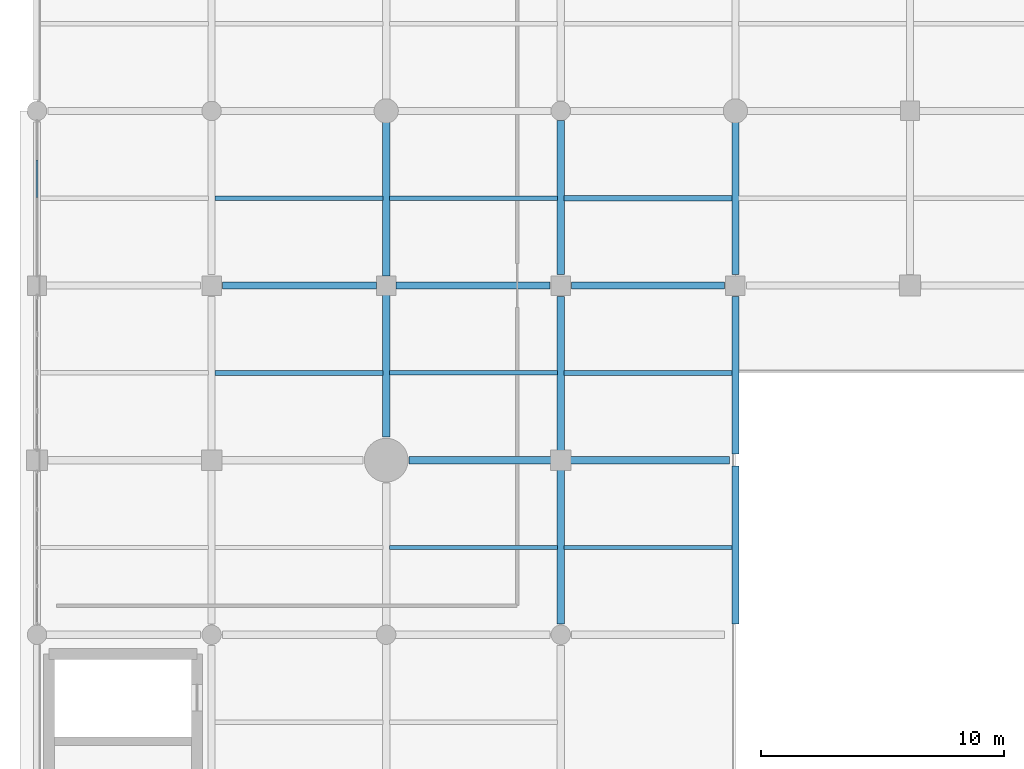
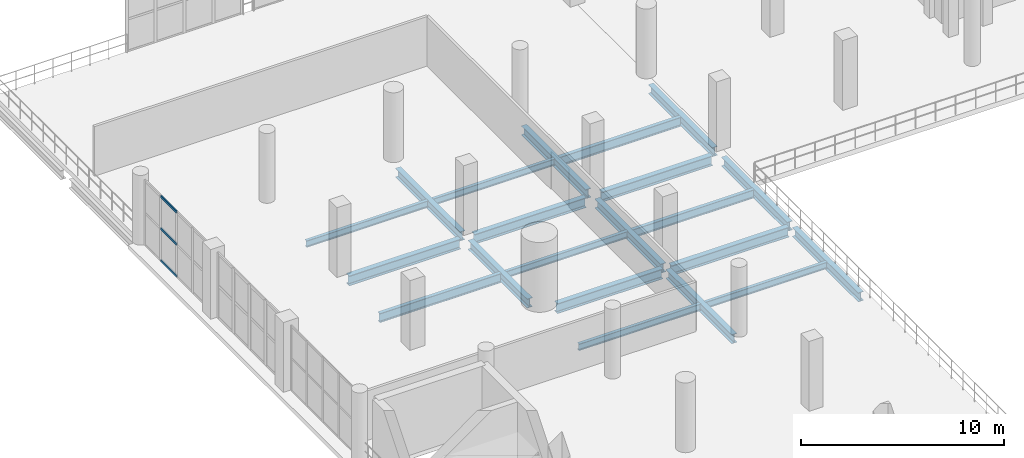
# One storey, part 50 of 153: 21 beams, 3 members, 1 element without a shape of its own.
"""IFC4 building model written with IfcOpenShell, lengths in metres."""

from ifc_helpers import new_model, si_unit, direction, frame, origin, origin_2d, place, context, subcontext, project, spatial, hollow_rectangle, i_section, extrude, material, material_profile, profile_set, type_object, element, aggregate, save


model = new_model("IFC4")

# Units and contexts
model_context = context("Model", 3, precision=1e-05, world=origin(), true_north=direction((0.0, 1.0)))
body_context = subcontext(model_context, "Body", "Model", "MODEL_VIEW")
ifc_project = project(units=[si_unit("LENGTHUNIT", "METRE"), si_unit("AREAUNIT", "SQUARE_METRE"), si_unit("VOLUMEUNIT", "CUBIC_METRE"), si_unit("PLANEANGLEUNIT", "RADIAN"), si_unit("MASSUNIT", "GRAM", prefix="KILO")], contexts=[model_context])

# Site, building, storey
site_placement = place(None, origin())
site = spatial("IfcSite", under=ifc_project, at=site_placement, CompositionType="ELEMENT")
building_placement = place(site_placement, origin())
building = spatial("IfcBuilding", under=site, at=building_placement, Name="Qandorah Velis Arena", CompositionType="ELEMENT")
storey_placement = place(building_placement, frame((0.0, 0.0, 5.39990234375)))
storey = spatial("IfcBuildingStorey", under=building, at=storey_placement, Name="L01", CompositionType="ELEMENT", Elevation=5.39990234375)

# Curtain wall, members
ifc_material_1 = material(Name="Solar-control low-E double glazing", Category="glass")
curtain_wall_type = type_object("IfcCurtainWallType", Name="ARC-CW-SYS10", PredefinedType="USERDEFINED", material=ifc_material_1)
curtain_wall_placement = place(storey_placement, origin())
curtain_wall = element("IfcCurtainWall", 1, at=curtain_wall_placement, inside=storey, type_object=curtain_wall_type, Name="Unitised curtain wall L01-010", ObjectType="UNITISED CURTAIN WALL", PredefinedType="USERDEFINED")
ifc_material_2 = material(Name="Champagne-bronze anodized aluminium 6063-T6", Category="aluminium")
ifc_material_profile_1 = material_profile(ifc_material_2, hollow_rectangle(XDim=0.06494140625, YDim=0.139892578125, WallThickness=0.0029296875, at=origin_2d()), Name="ALU TRANSOM 65x140")
ifc_profile_set_1 = profile_set([ifc_material_profile_1], Name="Champagne-bronze anodized aluminium 6063-T6")
member_type = type_object("IfcMemberType", Name="ARC-CWT-140", PredefinedType="USERDEFINED", material=ifc_profile_set_1)
member_1_placement = place(storey_placement, frame((0.0, 111.62060546875, 0.03271484375), z_axis=(0.0, 1.0, 0.0), x_axis=(-1.0, 0.0, 0.0)))
member_1 = element("IfcMember", 2, at=member_1_placement, type_object=member_type, Name="CW10 transom 3.1", ObjectType="TRANSOM", PredefinedType="USERDEFINED", context=body_context, shape_type="SweptSolid", body=[
    extrude(hollow_rectangle(XDim=0.06494140625, YDim=0.139892578125, WallThickness=0.0029296875, at=origin_2d()), origin(), (0.0, 0.0, 1.0), 1.54638671875),
])
member_2_placement = place(storey_placement, frame((0.0, 111.62060546875, 1.960205078125), z_axis=(0.0, 1.0, 0.0), x_axis=(-1.0, 0.0, 0.0)))
member_2 = element("IfcMember", 3, at=member_2_placement, type_object=member_type, Name="CW10 transom 3.2", ObjectType="TRANSOM", PredefinedType="USERDEFINED", context=body_context, shape_type="SweptSolid", body=[
    extrude(hollow_rectangle(XDim=0.06494140625, YDim=0.139892578125, WallThickness=0.0029296875, at=origin_2d()), origin(), (0.0, 0.0, 1.0), 1.54638671875),
])
member_3_placement = place(storey_placement, frame((0.0, 111.62060546875, 3.8876953125), z_axis=(0.0, 1.0, 0.0), x_axis=(-1.0, 0.0, 0.0)))
member_3 = element("IfcMember", 4, at=member_3_placement, type_object=member_type, Name="CW10 transom 3.3", ObjectType="TRANSOM", PredefinedType="USERDEFINED", context=body_context, shape_type="SweptSolid", body=[
    extrude(hollow_rectangle(XDim=0.06494140625, YDim=0.139892578125, WallThickness=0.0029296875, at=origin_2d()), origin(), (0.0, 0.0, 1.0), 1.54638671875),
])
aggregate(curtain_wall, [member_1, member_2, member_3])

# Beams
ifc_material_3 = material(Name="Steel S355", Category="steel")
ifc_material_profile_2 = material_profile(ifc_material_3, i_section(OverallWidth=0.300048828125, OverallDepth=0.550048828125, WebThickness=0.014892578125, FlangeThickness=0.029052734375, FilletRadius=0.027099609375, at=origin_2d()), Name="HEB 550")
ifc_profile_set_2 = profile_set([ifc_material_profile_2], Name="Steel S355")
beam_type_1 = type_object("IfcBeamType", Name="STR-BM-HEB550", PredefinedType="BEAM", material=ifc_profile_set_2)
beam_1_placement = place(storey_placement, frame((14.39990234375, 101.75, -0.635009765625), z_axis=(0.0, 1.0, 0.0), x_axis=(-1.0, 0.0, 0.0)))
element("IfcBeam", 5, at=beam_1_placement, inside=storey, type_object=beam_type_1, Name="Primary floor girder L01 Y-270", PredefinedType="BEAM", context=body_context, shape_type="SweptSolid", body=[
    extrude(i_section(OverallWidth=0.300048828125, OverallDepth=0.550048828125, WebThickness=0.014892578125, FlangeThickness=0.029052734375, FilletRadius=0.027099609375, at=origin_2d()), origin(), (0.0, 0.0, 1.0), 5.85009765625),
])
beam_2_placement = place(storey_placement, frame((14.39990234375, 108.39990234375, -0.635009765625), z_axis=(0.0, 1.0, 0.0), x_axis=(-1.0, 0.0, 0.0)))
element("IfcBeam", 6, at=beam_2_placement, inside=storey, type_object=beam_type_1, Name="Primary floor girder L01 Y-271", PredefinedType="BEAM", context=body_context, shape_type="SweptSolid", body=[
    extrude(i_section(OverallWidth=0.300048828125, OverallDepth=0.550048828125, WebThickness=0.014892578125, FlangeThickness=0.029052734375, FilletRadius=0.027099609375, at=origin_2d()), origin(), (0.0, 0.0, 1.0), 6.35009765625),
])
for number, where, z_axis, x_axis, name in (
    (7, (21.60009765625, 94.050048828125, -0.635009765625), (0.0, 1.0, 0.0), (-1.0, 0.0, 0.0), "Primary floor girder L01 Y-287"),
    (8, (21.60009765625, 101.050048828125, -0.635009765625), (0.0, 1.0, 0.0), (-1.0, 0.0, 0.0), "Primary floor girder L01 Y-288"),
):
    element("IfcBeam", number, at=place(storey_placement, frame(where, z_axis=z_axis, x_axis=x_axis)), inside=storey, type_object=beam_type_1, Name=name, PredefinedType="BEAM", context=body_context, shape_type="SweptSolid", body=[
        extrude(i_section(OverallWidth=0.300048828125, OverallDepth=0.550048828125, WebThickness=0.014892578125, FlangeThickness=0.029052734375, FilletRadius=0.027099609375, at=origin_2d()), origin(), (0.0, 0.0, 1.0), 6.5),
    ])
beam_3_placement = place(storey_placement, frame((21.60009765625, 108.449951171875, -0.635009765625), z_axis=(0.0, 1.0, 0.0), x_axis=(-1.0, 0.0, 0.0)))
element("IfcBeam", 9, at=beam_3_placement, inside=storey, type_object=beam_type_1, Name="Primary floor girder L01 Y-289", PredefinedType="BEAM", context=body_context, shape_type="SweptSolid", body=[
    extrude(i_section(OverallWidth=0.300048828125, OverallDepth=0.550048828125, WebThickness=0.014892578125, FlangeThickness=0.029052734375, FilletRadius=0.027099609375, at=origin_2d()), origin(), (0.0, 0.0, 1.0), 6.35009765625),
])
for number, where, z_axis, x_axis, name in (
    (10, (28.800048828125, 94.050048828125, -0.635009765625), (0.0, 1.0, 0.0), (-1.0, 0.0, 0.0), "Primary floor girder L01 Y-297"),
    (11, (28.800048828125, 101.050048828125, -0.635009765625), (0.0, 1.0, 0.0), (-1.0, 0.0, 0.0), "Primary floor girder L01 Y-298"),
):
    element("IfcBeam", number, at=place(storey_placement, frame(where, z_axis=z_axis, x_axis=x_axis)), inside=storey, type_object=beam_type_1, Name=name, PredefinedType="BEAM", context=body_context, shape_type="SweptSolid", body=[
        extrude(i_section(OverallWidth=0.300048828125, OverallDepth=0.550048828125, WebThickness=0.014892578125, FlangeThickness=0.029052734375, FilletRadius=0.027099609375, at=origin_2d()), origin(), (0.0, 0.0, 1.0), 6.5),
    ])
beam_4_placement = place(storey_placement, frame((28.800048828125, 108.449951171875, -0.635009765625), z_axis=(0.0, 1.0, 0.0), x_axis=(-1.0, 0.0, 0.0)))
element("IfcBeam", 12, at=beam_4_placement, inside=storey, type_object=beam_type_1, Name="Primary floor girder L01 Y-299", PredefinedType="BEAM", context=body_context, shape_type="SweptSolid", body=[
    extrude(i_section(OverallWidth=0.300048828125, OverallDepth=0.550048828125, WebThickness=0.014892578125, FlangeThickness=0.029052734375, FilletRadius=0.027099609375, at=origin_2d()), origin(), (0.0, 0.0, 1.0), 6.300048828125),
])
ifc_material_profile_3 = material_profile(ifc_material_3, i_section(OverallWidth=0.300048828125, OverallDepth=0.60009765625, WebThickness=0.015380859375, FlangeThickness=0.030029296875, FilletRadius=0.027099609375, at=origin_2d()), Name="HEB 600")
ifc_profile_set_3 = profile_set([ifc_material_profile_3], Name="Steel S355")
beam_type_2 = type_object("IfcBeamType", Name="STR-BM-HEB600", PredefinedType="BEAM", material=ifc_profile_set_3)
beam_5_placement = place(storey_placement, frame((15.35009765625, 100.800048828125, -0.659912109375), z_axis=(1.0, 0.0, 0.0), x_axis=(0.0, 1.0, 0.0)))
element("IfcBeam", 13, at=beam_5_placement, inside=storey, type_object=beam_type_2, Name="Primary floor girder L01 X-147", PredefinedType="BEAM", context=body_context, shape_type="SweptSolid", body=[
    extrude(i_section(OverallWidth=0.300048828125, OverallDepth=0.60009765625, WebThickness=0.015380859375, FlangeThickness=0.030029296875, FilletRadius=0.027099609375, at=origin_2d()), origin(), (0.0, 0.0, 1.0), 6.0),
])
beam_6_placement = place(storey_placement, frame((21.85009765625, 100.800048828125, -0.659912109375), z_axis=(1.0, 0.0, 0.0), x_axis=(0.0, 1.0, 0.0)))
element("IfcBeam", 14, at=beam_6_placement, inside=storey, type_object=beam_type_2, Name="Primary floor girder L01 X-148", PredefinedType="BEAM", context=body_context, shape_type="SweptSolid", body=[
    extrude(i_section(OverallWidth=0.300048828125, OverallDepth=0.60009765625, WebThickness=0.015380859375, FlangeThickness=0.030029296875, FilletRadius=0.027099609375, at=origin_2d()), origin(), (0.0, 0.0, 1.0), 6.699951171875),
])
beam_7_placement = place(storey_placement, frame((7.64990234375, 108.0, -0.659912109375), z_axis=(1.0, 0.0, 0.0), x_axis=(0.0, 1.0, 0.0)))
element("IfcBeam", 15, at=beam_7_placement, inside=storey, type_object=beam_type_2, Name="Primary floor girder L01 X-154", PredefinedType="BEAM", context=body_context, shape_type="SweptSolid", body=[
    extrude(i_section(OverallWidth=0.300048828125, OverallDepth=0.60009765625, WebThickness=0.015380859375, FlangeThickness=0.030029296875, FilletRadius=0.027099609375, at=origin_2d()), origin(), (0.0, 0.0, 1.0), 6.35009765625),
])
beam_8_placement = place(storey_placement, frame((14.800048828125, 108.0, -0.659912109375), z_axis=(1.0, 0.0, 0.0), x_axis=(0.0, 1.0, 0.0)))
element("IfcBeam", 16, at=beam_8_placement, inside=storey, type_object=beam_type_2, Name="Primary floor girder L01 X-155", PredefinedType="BEAM", context=body_context, shape_type="SweptSolid", body=[
    extrude(i_section(OverallWidth=0.300048828125, OverallDepth=0.60009765625, WebThickness=0.015380859375, FlangeThickness=0.030029296875, FilletRadius=0.027099609375, at=origin_2d()), origin(), (0.0, 0.0, 1.0), 6.349853515625),
])
beam_9_placement = place(storey_placement, frame((22.050048828125, 108.0, -0.659912109375), z_axis=(1.0, 0.0, 0.0), x_axis=(0.0, 1.0, 0.0)))
element("IfcBeam", 17, at=beam_9_placement, inside=storey, type_object=beam_type_2, Name="Primary floor girder L01 X-156", PredefinedType="BEAM", context=body_context, shape_type="SweptSolid", body=[
    extrude(i_section(OverallWidth=0.300048828125, OverallDepth=0.60009765625, WebThickness=0.015380859375, FlangeThickness=0.030029296875, FilletRadius=0.027099609375, at=origin_2d()), origin(), (0.0, 0.0, 1.0), 6.300048828125),
])
ifc_material_profile_4 = material_profile(ifc_material_3, i_section(OverallWidth=0.179931640625, OverallDepth=0.39990234375, WebThickness=0.008544921875, FlangeThickness=0.013427734375, FilletRadius=0.02099609375, at=origin_2d()), Name="IPE 400")
ifc_profile_set_4 = profile_set([ifc_material_profile_4], Name="Steel S355")
beam_type_3 = type_object("IfcBeamType", Name="STR-JST-IPE400", PredefinedType="JOIST", material=ifc_profile_set_4)
beam_10_placement = place(storey_placement, frame((7.3349609375, 111.60009765625, -0.559814453125), z_axis=(1.0, 0.0, 0.0), x_axis=(0.0, 1.0, 0.0)))
element("IfcBeam", 18, at=beam_10_placement, inside=storey, type_object=beam_type_3, Name="Secondary floor joist L01-030", PredefinedType="JOIST", context=body_context, shape_type="SweptSolid", body=[
    extrude(i_section(OverallWidth=0.179931640625, OverallDepth=0.39990234375, WebThickness=0.008544921875, FlangeThickness=0.013427734375, FilletRadius=0.02099609375, at=origin_2d()), origin(), (0.0, 0.0, 1.0), 6.929931640625),
])
for number, where, z_axis, x_axis, name in (
    (19, (14.534912109375, 97.199951171875, -0.559814453125), (1.0, 0.0, 0.0), (0.0, 1.0, 0.0), "Secondary floor joist L01-046"),
    (20, (14.534912109375, 104.39990234375, -0.559814453125), (1.0, 0.0, 0.0), (0.0, 1.0, 0.0), "Secondary floor joist L01-047"),
    (21, (14.534912109375, 111.60009765625, -0.559814453125), (1.0, 0.0, 0.0), (0.0, 1.0, 0.0), "Secondary floor joist L01-048"),
):
    element("IfcBeam", number, at=place(storey_placement, frame(where, z_axis=z_axis, x_axis=x_axis)), inside=storey, type_object=beam_type_3, Name=name, PredefinedType="JOIST", context=body_context, shape_type="SweptSolid", body=[
        extrude(i_section(OverallWidth=0.179931640625, OverallDepth=0.39990234375, WebThickness=0.008544921875, FlangeThickness=0.013427734375, FilletRadius=0.02099609375, at=origin_2d()), origin(), (0.0, 0.0, 1.0), 6.93017578125),
    ])
beam_11_placement = place(storey_placement, frame((21.735107421875, 97.199951171875, -0.559814453125), z_axis=(1.0, 0.0, 0.0), x_axis=(0.0, 1.0, 0.0)))
element("IfcBeam", 22, at=beam_11_placement, inside=storey, type_object=beam_type_3, Name="Secondary floor joist L01-056", PredefinedType="JOIST", context=body_context, shape_type="SweptSolid", body=[
    extrude(i_section(OverallWidth=0.179931640625, OverallDepth=0.39990234375, WebThickness=0.008544921875, FlangeThickness=0.013427734375, FilletRadius=0.02099609375, at=origin_2d()), origin(), (0.0, 0.0, 1.0), 6.929931640625),
])
ifc_material_profile_5 = material_profile(ifc_material_3, i_section(OverallWidth=0.199951171875, OverallDepth=0.5, WebThickness=0.01025390625, FlangeThickness=0.01611328125, FilletRadius=0.02099609375, at=origin_2d()), Name="IPE 500")
ifc_profile_set_5 = profile_set([ifc_material_profile_5], Name="Steel S355")
beam_type_4 = type_object("IfcBeamType", Name="STR-JST-IPE500", PredefinedType="JOIST", material=ifc_profile_set_5)
beam_12_placement = place(storey_placement, frame((21.735107421875, 104.39990234375, -0.60986328125), z_axis=(1.0, 0.0, 0.0), x_axis=(0.0, 1.0, 0.0)))
element("IfcBeam", 23, at=beam_12_placement, inside=storey, type_object=beam_type_4, Name="Secondary floor joist L01-057", PredefinedType="JOIST", context=body_context, shape_type="SweptSolid", body=[
    extrude(i_section(OverallWidth=0.199951171875, OverallDepth=0.5, WebThickness=0.01025390625, FlangeThickness=0.01611328125, FilletRadius=0.02099609375, at=origin_2d()), origin(), (0.0, 0.0, 1.0), 6.929931640625),
])
ifc_material_profile_6 = material_profile(ifc_material_3, i_section(OverallWidth=0.2099609375, OverallDepth=0.550048828125, WebThickness=0.010986328125, FlangeThickness=0.01708984375, FilletRadius=0.02392578125, at=origin_2d()), Name="IPE 550")
ifc_profile_set_6 = profile_set([ifc_material_profile_6], Name="Steel S355")
beam_type_5 = type_object("IfcBeamType", Name="STR-JST-IPE550", PredefinedType="JOIST", material=ifc_profile_set_6)
for number, where, z_axis, x_axis, name in (
    (24, (7.3349609375, 104.39990234375, -0.635009765625), (1.0, 0.0, 0.0), (0.0, 1.0, 0.0), "Secondary floor joist L01-029"),
    (25, (21.735107421875, 111.60009765625, -0.635009765625), (1.0, 0.0, 0.0), (0.0, 1.0, 0.0), "Secondary floor joist L01-058"),
):
    element("IfcBeam", number, at=place(storey_placement, frame(where, z_axis=z_axis, x_axis=x_axis)), inside=storey, type_object=beam_type_5, Name=name, PredefinedType="JOIST", context=body_context, shape_type="SweptSolid", body=[
        extrude(i_section(OverallWidth=0.2099609375, OverallDepth=0.550048828125, WebThickness=0.010986328125, FlangeThickness=0.01708984375, FilletRadius=0.02392578125, at=origin_2d()), origin(), (0.0, 0.0, 1.0), 6.929931640625),
    ])

save(model, "model.ifc")
